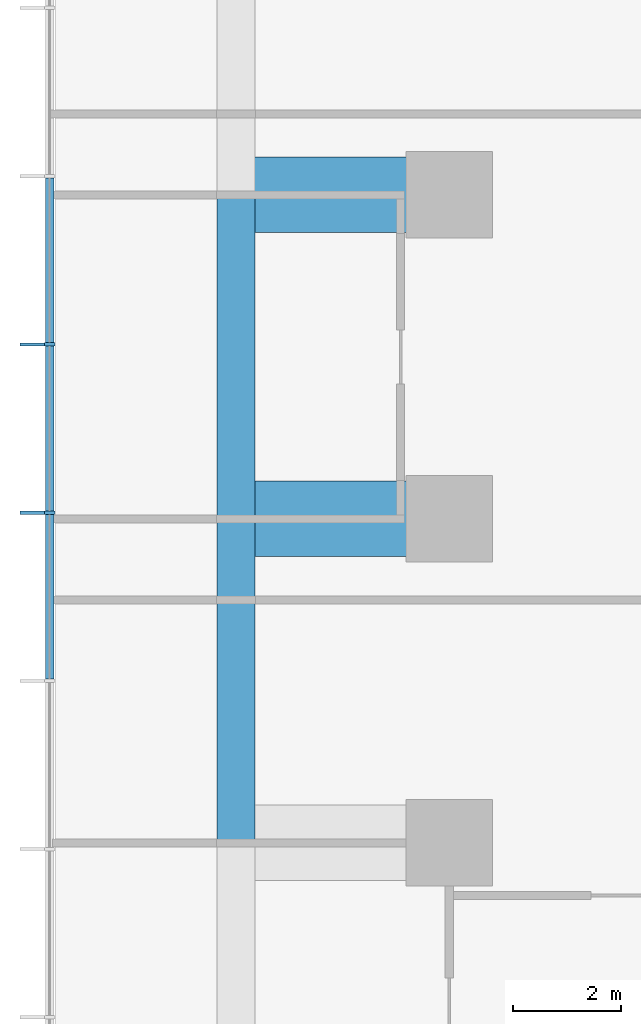
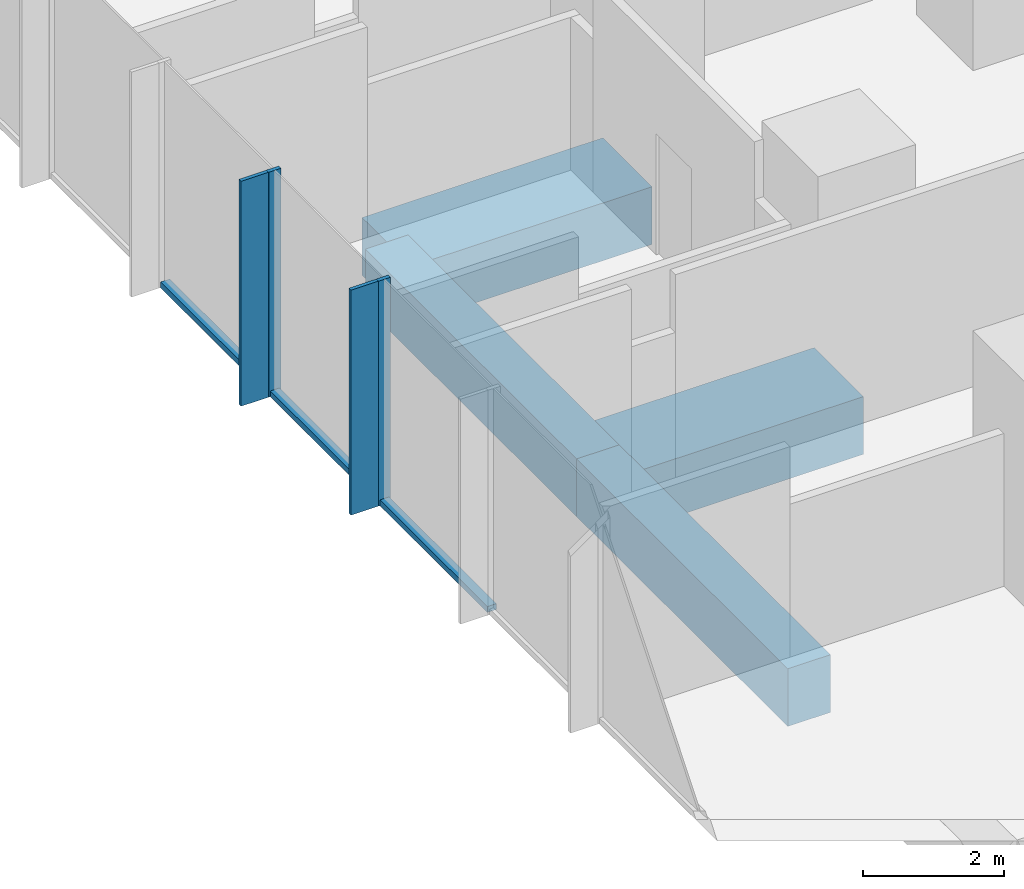
# One storey, part 3 of 11: 7 members, 4 beams, 1 element without a shape of its own.
"""IFC4 building model written with IfcOpenShell, lengths in metres."""

from ifc_helpers import new_model, si_unit, direction, frame, origin, origin_2d, place, context, subcontext, project, spatial, rectangle, extrude, material, layer, layer_set, material_profile, profile_set, type_object, element, aggregate, save


model = new_model("IFC4")

# Units and contexts
model_context = context("Model", 3, precision=1e-05, world=origin(), true_north=direction((0.0, 1.0)))
body_context = subcontext(model_context, "Body", "Model", "MODEL_VIEW")
ifc_project = project(units=[si_unit("LENGTHUNIT", "METRE"), si_unit("AREAUNIT", "SQUARE_METRE"), si_unit("VOLUMEUNIT", "CUBIC_METRE"), si_unit("PLANEANGLEUNIT", "RADIAN"), si_unit("MASSUNIT", "GRAM", prefix="KILO")], contexts=[model_context])

# Site, building, storey
site_placement = place(None, origin())
site = spatial("IfcSite", under=ifc_project, at=site_placement, CompositionType="ELEMENT")
building_placement = place(site_placement, origin())
building = spatial("IfcBuilding", under=site, at=building_placement, Name="Highveld Stack Headquarters", CompositionType="ELEMENT")
storey_placement = place(building_placement, frame((0.0, 0.0, 125.0)))
storey = spatial("IfcBuildingStorey", under=building, at=storey_placement, Name="L30", CompositionType="ELEMENT", Elevation=125.0)

# Beams
ifc_material_1 = material(Name="Concrete C60/75", Category="concrete")
ifc_material_profile_1 = material_profile(ifc_material_1, rectangle(XDim=1.39990234375, YDim=1.0, at=origin_2d()), Name="RC 1400x1000")
ifc_profile_set_1 = profile_set([ifc_material_profile_1], Name="Concrete C60/75")
beam_type_1 = type_object("IfcBeamType", Name="CANTILEVER RIB RC 1400x1000", PredefinedType="USERDEFINED", material=ifc_profile_set_1)
for number, where, z_axis, x_axis, name in (
    (1, (-18.0, 6.0, -0.75), (-1.0, 0.0, 0.0), (0.0, -1.0, 0.0), "Cantilever rib 3/F L30"),
    (2, (-18.0, 12.0, -0.75), (-1.0, 0.0, 0.0), (0.0, -1.0, 0.0), "Cantilever rib 3/G L30"),
):
    element("IfcBeam", number, at=place(storey_placement, frame(where, z_axis=z_axis, x_axis=x_axis)), inside=storey, type_object=beam_type_1, Name=name, ObjectType="CANTILEVER RIB", PredefinedType="USERDEFINED", context=body_context, shape_type="SweptSolid", body=[
        extrude(rectangle(XDim=1.39990234375, YDim=1.0, at=origin_2d()), origin(), (0.0, 0.0, 1.0), 3.949951171875),
    ])

# Curtain wall, members
ifc_material_2 = material(Name="Aluminium bronze anodised", Category="aluminium")
ifc_layer = layer(ifc_material_2, 0.199951171875)
ifc_layer_set = layer_set([ifc_layer], Name="Aluminium bronze anodised")
curtain_wall_type = type_object("IfcCurtainWallType", Name="CW1 TOWER UNITISED CURTAIN WALL", PredefinedType="NOTDEFINED", material=ifc_layer_set)
curtain_wall_placement = place(storey_placement, origin())
curtain_wall = element("IfcCurtainWall", 3, at=curtain_wall_placement, inside=storey, type_object=curtain_wall_type, Name="Curtain wall CW1 L30 W", PredefinedType="NOTDEFINED")
ifc_material_3 = material(Name="Aluminium bronze anodised", Category="aluminium")
ifc_material_profile_2 = material_profile(ifc_material_3, rectangle(XDim=0.449951171875, YDim=0.06005859375, at=origin_2d()), Name="FIN 450x60")
ifc_profile_set_2 = profile_set([ifc_material_profile_2], Name="Aluminium bronze anodised")
member_type_1 = type_object("IfcMemberType", Name="CW1 BRONZE FIN 450x60", PredefinedType="USERDEFINED", material=ifc_profile_set_2)
member_1_placement = place(storey_placement, frame((-25.72509765625, 9.23193359375, 0.0), z_axis=(0.0, 0.0, 1.0), x_axis=(1.0, 0.0, 0.0)))
member_1 = element("IfcMember", 4, at=member_1_placement, type_object=member_type_1, Name="CW1 fin L30 4", ObjectType="FIN", PredefinedType="USERDEFINED", context=body_context, shape_type="SweptSolid", body=[
    extrude(rectangle(XDim=0.449951171875, YDim=0.06005859375, at=origin_2d()), origin(), (0.0, 0.0, 1.0), 3.89990234375),
])
member_2_placement = place(storey_placement, frame((-25.72509765625, 6.115966796875, 0.0), z_axis=(0.0, 0.0, 1.0), x_axis=(1.0, 0.0, 0.0)))
member_2 = element("IfcMember", 5, at=member_2_placement, type_object=member_type_1, Name="CW1 fin L30 5", ObjectType="FIN", PredefinedType="USERDEFINED", context=body_context, shape_type="SweptSolid", body=[
    extrude(rectangle(XDim=0.449951171875, YDim=0.06005859375, at=origin_2d()), origin(), (0.0, 0.0, 1.0), 3.89990234375),
])
ifc_material_4 = material(Name="Aluminium bronze anodised", Category="aluminium")
ifc_material_profile_3 = material_profile(ifc_material_4, rectangle(XDim=0.199951171875, YDim=0.06494140625, at=origin_2d()), Name="CW1 MULLION 65x200")
ifc_profile_set_3 = profile_set([ifc_material_profile_3], Name="Aluminium bronze anodised")
member_type_2 = type_object("IfcMemberType", Name="CW1 MULLION 65x200", PredefinedType="MULLION", material=ifc_profile_set_3)
member_3_placement = place(storey_placement, frame((-25.39990234375, 9.23193359375, 0.0), z_axis=(0.0, 0.0, 1.0), x_axis=(1.0, 0.0, 0.0)))
member_3 = element("IfcMember", 6, at=member_3_placement, type_object=member_type_2, Name="CW1 mullion L30 4", PredefinedType="MULLION", context=body_context, shape_type="SweptSolid", body=[
    extrude(rectangle(XDim=0.199951171875, YDim=0.06494140625, at=origin_2d()), origin(), (0.0, 0.0, 1.0), 3.89990234375),
])
member_4_placement = place(storey_placement, frame((-25.39990234375, 6.115966796875, 0.0), z_axis=(0.0, 0.0, 1.0), x_axis=(1.0, 0.0, 0.0)))
member_4 = element("IfcMember", 7, at=member_4_placement, type_object=member_type_2, Name="CW1 mullion L30 5", PredefinedType="MULLION", context=body_context, shape_type="SweptSolid", body=[
    extrude(rectangle(XDim=0.199951171875, YDim=0.06494140625, at=origin_2d()), origin(), (0.0, 0.0, 1.0), 3.89990234375),
])
ifc_material_5 = material(Name="Aluminium bronze anodised", Category="aluminium")
ifc_material_profile_4 = material_profile(ifc_material_5, rectangle(XDim=0.14990234375, YDim=0.10009765625, at=origin_2d()), Name="CW1 TRANSOM 150x100")
ifc_profile_set_4 = profile_set([ifc_material_profile_4], Name="Aluminium bronze anodised")
member_type_3 = type_object("IfcMemberType", Name="CW1 STACK TRANSOM 150x100", PredefinedType="USERDEFINED", material=ifc_profile_set_4)
member_5_placement = place(storey_placement, frame((-25.39990234375, 12.3154296875, 0.050048828125), z_axis=(0.0, -1.0, 0.0), x_axis=(1.0, 0.0, 0.0)))
member_5 = element("IfcMember", 8, at=member_5_placement, type_object=member_type_3, Name="CW1 transom L30 3.1", ObjectType="TRANSOM", PredefinedType="USERDEFINED", context=body_context, shape_type="SweptSolid", body=[
    extrude(rectangle(XDim=0.14990234375, YDim=0.10009765625, at=origin_2d()), origin(), (0.0, 0.0, 1.0), 3.051025390625),
])
member_6_placement = place(storey_placement, frame((-25.39990234375, 9.199462890625, 0.050048828125), z_axis=(0.0, -1.0, 0.0), x_axis=(1.0, 0.0, 0.0)))
member_6 = element("IfcMember", 9, at=member_6_placement, type_object=member_type_3, Name="CW1 transom L30 4.1", ObjectType="TRANSOM", PredefinedType="USERDEFINED", context=body_context, shape_type="SweptSolid", body=[
    extrude(rectangle(XDim=0.14990234375, YDim=0.10009765625, at=origin_2d()), origin(), (0.0, 0.0, 1.0), 3.051025390625),
])
member_7_placement = place(storey_placement, frame((-25.39990234375, 6.08349609375, 0.050048828125), z_axis=(0.0, -1.0, 0.0), x_axis=(1.0, 0.0, 0.0)))
member_7 = element("IfcMember", 10, at=member_7_placement, type_object=member_type_3, Name="CW1 transom L30 5.1", ObjectType="TRANSOM", PredefinedType="USERDEFINED", context=body_context, shape_type="SweptSolid", body=[
    extrude(rectangle(XDim=0.14990234375, YDim=0.10009765625, at=origin_2d()), origin(), (0.0, 0.0, 1.0), 3.051025390625),
])
aggregate(curtain_wall, [member_3, member_1, member_4, member_2, member_5, member_6, member_7])

# Beams
ifc_material_6 = material(Name="Concrete C60/75", Category="concrete")
ifc_material_profile_5 = material_profile(ifc_material_6, rectangle(XDim=0.699951171875, YDim=1.0, at=origin_2d()), Name="RC 700x1000")
ifc_profile_set_5 = profile_set([ifc_material_profile_5], Name="Concrete C60/75")
beam_type_2 = type_object("IfcBeamType", Name="RIB TIP BEAM RC 700x1000", PredefinedType="SPANDREL", material=ifc_profile_set_5)
for number, where, z_axis, x_axis, name in (
    (11, (-21.949951171875, 0.0, -0.75), (0.0, 1.0, 0.0), (-1.0, 0.0, 0.0), "Rib tip beam 3/E to 3/F L30"),
    (12, (-21.949951171875, 6.0, -0.75), (0.0, 1.0, 0.0), (-1.0, 0.0, 0.0), "Rib tip beam 3/F to 3/G L30"),
):
    element("IfcBeam", number, at=place(storey_placement, frame(where, z_axis=z_axis, x_axis=x_axis)), inside=storey, type_object=beam_type_2, Name=name, PredefinedType="SPANDREL", context=body_context, shape_type="SweptSolid", body=[
        extrude(rectangle(XDim=0.699951171875, YDim=1.0, at=origin_2d()), origin(), (0.0, 0.0, 1.0), 6.0),
    ])

save(model, "model.ifc")
